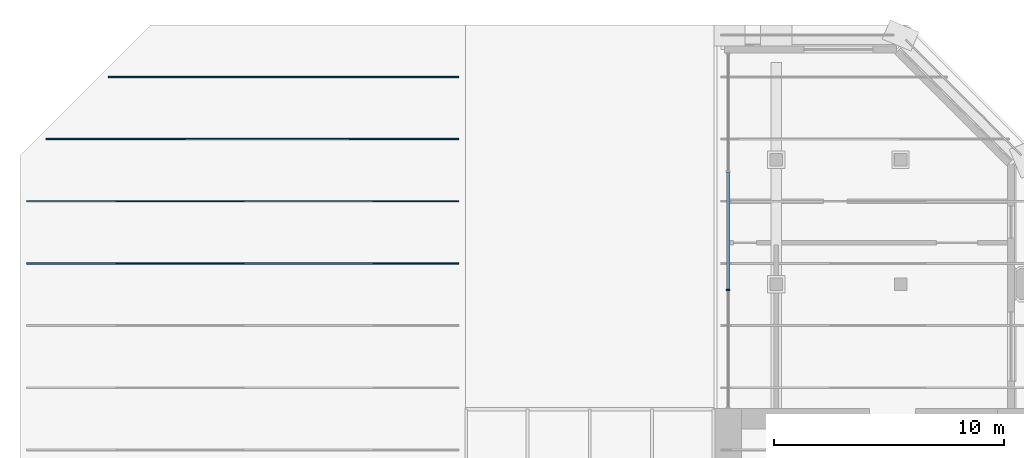
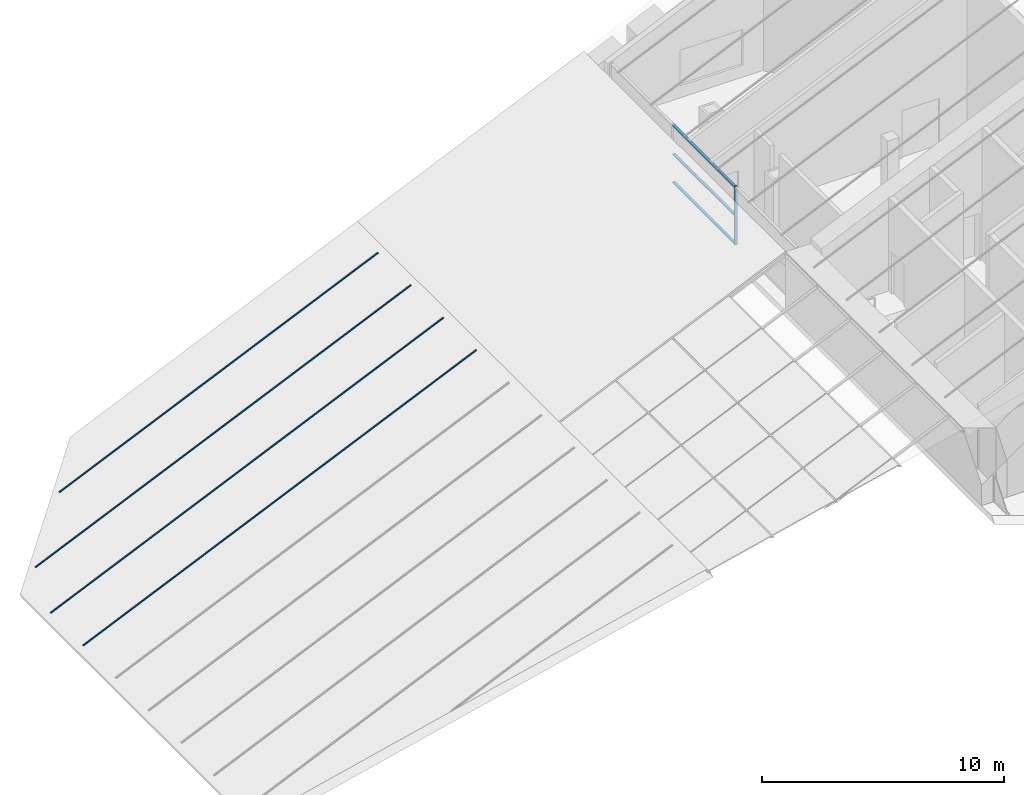
# One storey, part 5 of 10: 8 members, 1 element without a shape of its own.
"""IFC4 building model written with IfcOpenShell, lengths in metres."""

from ifc_helpers import new_model, si_unit, direction, frame, origin, origin_2d, place, context, subcontext, project, spatial, rectangle, extrude, material, material_profile, profile_set, type_object, element, aggregate, save


model = new_model("IFC4")

# Units and contexts
model_context = context("Model", 3, precision=1e-05, world=origin(), true_north=direction((0.0, 1.0)))
body_context = subcontext(model_context, "Body", "Model", "MODEL_VIEW")
ifc_project = project(units=[si_unit("LENGTHUNIT", "METRE"), si_unit("AREAUNIT", "SQUARE_METRE"), si_unit("VOLUMEUNIT", "CUBIC_METRE"), si_unit("PLANEANGLEUNIT", "RADIAN"), si_unit("MASSUNIT", "GRAM", prefix="KILO")], contexts=[model_context])

# Site, building, storey
site_placement = place(None, origin())
site = spatial("IfcSite", under=ifc_project, at=site_placement, CompositionType="ELEMENT")
building_placement = place(site_placement, origin())
building = spatial("IfcBuilding", under=site, at=building_placement, Name="Tabaq Tower and Sports Hall", CompositionType="ELEMENT")
storey_placement = place(building_placement, frame((0.0, 0.0, 335.199951171875)))
storey = spatial("IfcBuildingStorey", under=building, at=storey_placement, Name="L83", CompositionType="ELEMENT", Elevation=335.199951171875)

# Curtain wall, members
ifc_material_1 = material(Name="Aluminium alloy 6063-T6 framed glazing", Category="aluminium")
curtain_wall_type = type_object("IfcCurtainWallType", Name="CW5 curtain wall", PredefinedType="USERDEFINED", material=ifc_material_1)
curtain_wall_placement = place(storey_placement, origin())
curtain_wall = element("IfcCurtainWall", 1, at=curtain_wall_placement, inside=storey, type_object=curtain_wall_type, Name="Crown riser glazing L83", ObjectType="CROWN GLAZING", PredefinedType="USERDEFINED")
ifc_material_2 = material(Name="Aluminium alloy 6063-T6", Category="aluminium")
ifc_material_profile_1 = material_profile(ifc_material_2, rectangle(XDim=0.139892578125, YDim=0.06005859375, at=origin_2d()), Name="MULLION 140x60")
ifc_profile_set_1 = profile_set([ifc_material_profile_1], Name="Aluminium alloy 6063-T6")
member_type_1 = type_object("IfcMemberType", Name="CW5 mullion 140x60", PredefinedType="MULLION", material=ifc_profile_set_1)
member_1_placement = place(storey_placement, frame((30.300048828125, 37.550048828125, 0.0), z_axis=(0.0, 0.0, 1.0), x_axis=(1.0, 0.0, 0.0)))
member_1 = element("IfcMember", 2, at=member_1_placement, type_object=member_type_1, Name="CW5 mullion 3", PredefinedType="MULLION", context=body_context, shape_type="SweptSolid", body=[
    extrude(rectangle(XDim=0.139892578125, YDim=0.06005859375, at=origin_2d()), origin(), (0.0, 0.0, 1.0), 2.966796875),
])
ifc_material_3 = material(Name="Aluminium alloy 6063-T6", Category="aluminium")
ifc_material_profile_2 = material_profile(ifc_material_3, rectangle(XDim=0.1201171875, YDim=0.06005859375, at=origin_2d()), Name="TRANSOM 120x60")
ifc_profile_set_2 = profile_set([ifc_material_profile_2], Name="Aluminium alloy 6063-T6")
member_type_2 = type_object("IfcMemberType", Name="CW5 transom 120x60", PredefinedType="USERDEFINED", material=ifc_profile_set_2)
member_2_placement = place(storey_placement, frame((30.300048828125, 42.669921875, 0.06005859375), z_axis=(0.0, -1.0, 0.0), x_axis=(1.0, 0.0, 0.0)))
member_2 = element("IfcMember", 3, at=member_2_placement, type_object=member_type_2, Name="CW5 transom 2.1", ObjectType="TRANSOM", PredefinedType="USERDEFINED", context=body_context, shape_type="SweptSolid", body=[
    extrude(rectangle(XDim=0.1201171875, YDim=0.06005859375, at=origin_2d()), origin(), (0.0, 0.0, 1.0), 5.08984375),
])
member_3_placement = place(storey_placement, frame((30.300048828125, 42.669921875, 1.4833984375), z_axis=(0.0, -1.0, 0.0), x_axis=(1.0, 0.0, 0.0)))
member_3 = element("IfcMember", 4, at=member_3_placement, type_object=member_type_2, Name="CW5 transom 2.2", ObjectType="TRANSOM", PredefinedType="USERDEFINED", context=body_context, shape_type="SweptSolid", body=[
    extrude(rectangle(XDim=0.1201171875, YDim=0.06005859375, at=origin_2d()), origin(), (0.0, 0.0, 1.0), 5.08984375),
])
member_4_placement = place(storey_placement, frame((30.300048828125, 42.669921875, 2.90673828125), z_axis=(0.0, -1.0, 0.0), x_axis=(1.0, 0.0, 0.0)))
member_4 = element("IfcMember", 5, at=member_4_placement, type_object=member_type_2, Name="CW5 transom 2.3", ObjectType="TRANSOM", PredefinedType="USERDEFINED", context=body_context, shape_type="SweptSolid", body=[
    extrude(rectangle(XDim=0.1201171875, YDim=0.06005859375, at=origin_2d()), origin(), (0.0, 0.0, 1.0), 5.08984375),
])
aggregate(curtain_wall, [member_1, member_2, member_3, member_4])

# Members
ifc_material_4 = material(Name="Steel S355", Category="steel")
ifc_material_profile_3 = material_profile(ifc_material_4, rectangle(XDim=0.06005859375, YDim=0.050048828125, at=origin_2d()), Name="FL 60x50")
ifc_profile_set_3 = profile_set([ifc_material_profile_3], Name="Steel S355")
member_type_3 = type_object("IfcMemberType", Name="HALL ROOF SEAM RIB FL 60x50", PredefinedType="STRINGER", material=ifc_profile_set_3)
for number, where, z_axis, x_axis, name in (
    (6, (-0.14990234375, 38.699951171875, -10.2412109375), (0.913808604625, 0.0, 0.406145089978), (0.0, 1.0, 0.0), "Crown roof seam rib W12"),
    (7, (-0.14990234375, 41.39990234375, -10.2412109375), (0.913808604625, 0.0, 0.406145089978), (0.0, 1.0, 0.0), "Crown roof seam rib W13"),
):
    element("IfcMember", number, at=place(storey_placement, frame(where, z_axis=z_axis, x_axis=x_axis)), inside=storey, type_object=member_type_3, Name=name, PredefinedType="STRINGER", context=body_context, shape_type="SweptSolid", body=[
        extrude(rectangle(XDim=0.06005859375, YDim=0.050048828125, at=origin_2d()), origin(), (0.0, 0.0, 1.0), 20.5185546875),
    ])
member_5_placement = place(storey_placement, frame((0.68798828125, 44.10009765625, -9.86865234375), z_axis=(0.91381154862, 0.0, 0.406138466053), x_axis=(0.0, 1.0, 0.0)))
element("IfcMember", 8, at=member_5_placement, inside=storey, type_object=member_type_3, Name="Crown roof seam rib W14", PredefinedType="STRINGER", context=body_context, shape_type="SweptSolid", body=[
    extrude(rectangle(XDim=0.06005859375, YDim=0.050048828125, at=origin_2d()), origin(), (0.0, 0.0, 1.0), 19.6015625),
])
member_6_placement = place(storey_placement, frame((3.387939453125, 46.800048828125, -8.668701171875), z_axis=(0.913810943844, 0.0, 0.406139826797), x_axis=(0.0, 1.0, 0.0)))
element("IfcMember", 9, at=member_6_placement, inside=storey, type_object=member_type_3, Name="Crown roof seam rib W15", PredefinedType="STRINGER", context=body_context, shape_type="SweptSolid", body=[
    extrude(rectangle(XDim=0.06005859375, YDim=0.050048828125, at=origin_2d()), origin(), (0.0, 0.0, 1.0), 16.64697265625),
])

save(model, "model.ifc")
